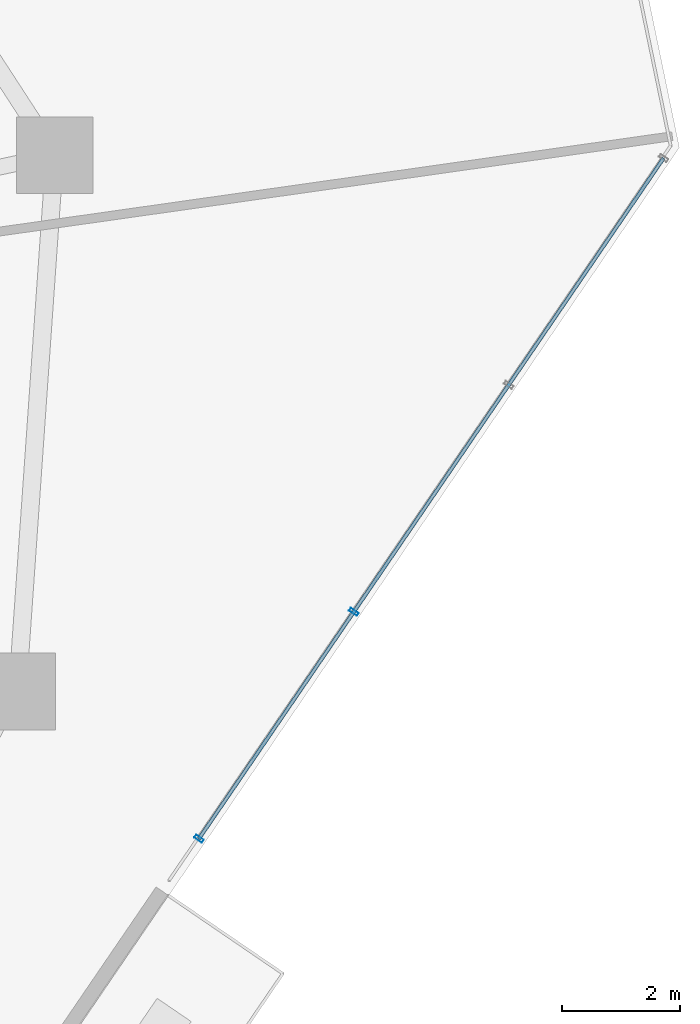
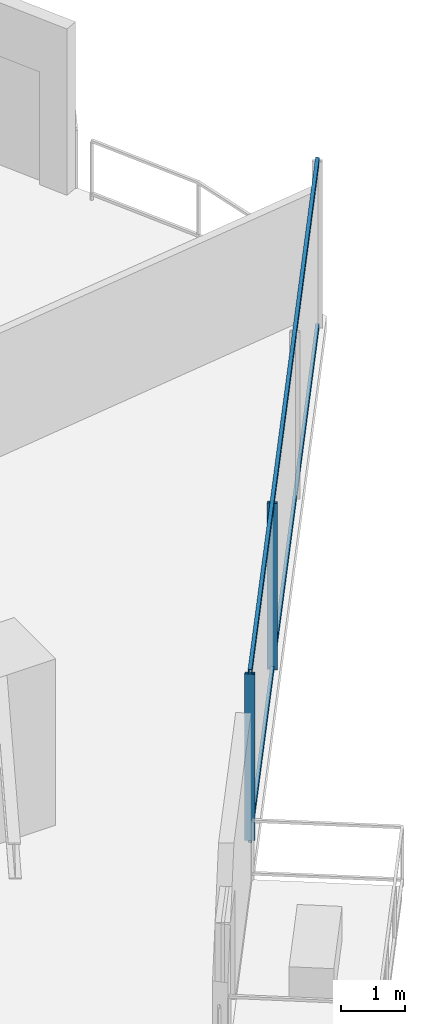
# One storey, part 13 of 30: 4 members, 1 element without a shape of its own.
"""IFC4 building model written with IfcOpenShell, lengths in metres."""

import ifcopenshell
import ifcopenshell.guid

model = None  # the IFC model being written
_history = None  # IfcOwnerHistory: only IFC2X3 demands one
_inside = {}  # id of a spatial element -> (the spatial element, [elements in it])
_under = {}  # id of a project, library or spatial element -> (it, [spatial elements below it])
_declared = {}  # id of a project -> (the project, [libraries it declares])
_typed = {}  # id of a type object -> (the type object, [elements of that type])
_made_of = {}  # id of a material, layer set ... -> (it, [elements and type objects made of it])


def new_model(schema):
    """Start an empty IFC model of exactly this schema.

    Asked for "IFC4X3", IfcOpenShell would pick the latest addendum, in which some entities
    have other attributes; the version numbers below select the first issue.
    IFC2X3 requires an IfcOwnerHistory on every rooted entity: one is made here for all.
    """
    global model, _history
    if schema == "IFC4X3":
        model = ifcopenshell.file(schema_version=(4, 3, 0, 0))
    else:
        model = ifcopenshell.file(schema=schema)
    _inside.clear()
    _under.clear()
    _declared.clear()
    _typed.clear()
    _made_of.clear()
    _history = None
    if model.schema == "IFC2X3":
        org = make("IfcOrganization", Name="unknown")
        user = make(
            "IfcPersonAndOrganization",
            ThePerson=make("IfcPerson", FamilyName="unknown"),
            TheOrganization=org,
        )
        app = make(
            "IfcApplication",
            ApplicationDeveloper=org,
            Version="unknown",
            ApplicationFullName="unknown",
            ApplicationIdentifier="unknown",
        )
        _history = make(
            "IfcOwnerHistory",
            OwningUser=user,
            OwningApplication=app,
            ChangeAction="ADDED",
            CreationDate=0,
        )
    return model


def make(cls, **values):
    """One entity of the class cls with the attributes given. An attribute that is None is left unset."""
    return model.create_entity(
        cls, **{name: value for name, value in values.items() if value is not None}
    )


def rooted(cls, **values):
    """An entity with a GlobalId (a new one), such as an element, a storey or a relation."""
    return make(cls, GlobalId=ifcopenshell.guid.new(), OwnerHistory=_history, **values)


def si_unit(unit_type, name, prefix=None):
    """IfcSIUnit, for example si_unit("LENGTHUNIT", "METRE", prefix="MILLI")."""
    return make("IfcSIUnit", UnitType=unit_type, Prefix=prefix, Name=name)


def assignment(units):
    """IfcUnitAssignment: the units of a project."""
    return None if units is None else make("IfcUnitAssignment", Units=units)


def point(xyz):
    """IfcCartesianPoint."""
    return None if xyz is None else make("IfcCartesianPoint", Coordinates=xyz)


def direction(xyz):
    """IfcDirection."""
    return None if xyz is None else make("IfcDirection", DirectionRatios=xyz)


def frame(location, z_axis=None, x_axis=None):
    """IfcAxis2Placement3D, a coordinate frame: its origin and axes. An axis left out is left unset."""
    return make(
        "IfcAxis2Placement3D",
        Location=point(location),
        Axis=direction(z_axis),
        RefDirection=direction(x_axis),
    )


def frame_2d(location, x_axis=None):
    """IfcAxis2Placement2D, a coordinate frame in the plane: its origin and x axis."""
    return make(
        "IfcAxis2Placement2D", Location=point(location), RefDirection=direction(x_axis)
    )


def origin():
    """The frame at (0, 0, 0) with its axes left unset."""
    return frame((0.0, 0.0, 0.0))


def origin_2d():
    """The frame at (0, 0) in the plane with its x axis left unset."""
    return frame_2d((0.0, 0.0))


def place(relative_to, where):
    """IfcLocalPlacement: puts the frame where relative to a parent placement (None: the world)."""
    return make(
        "IfcLocalPlacement", PlacementRelTo=relative_to, RelativePlacement=where
    )


def context(
    kind, dimensions, precision=None, world=None, true_north=None, identifier=None
):
    """IfcGeometricRepresentationContext, for example the 3D "Model" context."""
    return make(
        "IfcGeometricRepresentationContext",
        ContextIdentifier=identifier,
        ContextType=kind,
        CoordinateSpaceDimension=dimensions,
        Precision=precision,
        WorldCoordinateSystem=world,
        TrueNorth=true_north,
    )


def subcontext(parent, identifier, kind, view, scale=None):
    """IfcGeometricRepresentationSubContext, for example "Body" below "Model"."""
    return make(
        "IfcGeometricRepresentationSubContext",
        ContextIdentifier=identifier,
        ContextType=kind,
        ParentContext=parent,
        TargetScale=scale,
        TargetView=view,
    )


def project(units=None, contexts=None):
    """IfcProject with its units and contexts."""
    return rooted(
        "IfcProject",
        Name="project",
        RepresentationContexts=contexts,
        UnitsInContext=assignment(units),
    )


def spatial(cls, under=None, at=None, **own):
    """A site, building, storey or space (cls), placed at a placement, below another one or the project."""
    s = rooted(cls, ObjectPlacement=at, **own)
    if under is not None:
        _under.setdefault(under.id(), (under, []))[1].append(s)
    return s


def profile(cls, at=None, kind="AREA", **sizes):
    """A parametric profile (cls). Its sizes go by their IFC names, for example OverallWidth=200.0."""
    return make(cls, ProfileType=kind, Position=at, **sizes)


def hollow_rectangle(**sizes):
    """IfcRectangleHollowProfileDef."""
    return profile("IfcRectangleHollowProfileDef", **sizes)


def extrude(swept, where, along, depth):
    """IfcExtrudedAreaSolid: the profile swept, set in the frame where, extruded along a direction by depth."""
    return make(
        "IfcExtrudedAreaSolid",
        SweptArea=swept,
        Position=where,
        ExtrudedDirection=direction(along),
        Depth=depth,
    )


def shape(context_of_items, identifier, shape_type, items):
    """IfcShapeRepresentation: the items that make up one representation, for example the "Body"."""
    return make(
        "IfcShapeRepresentation",
        ContextOfItems=context_of_items,
        RepresentationIdentifier=identifier,
        RepresentationType=shape_type,
        Items=items,
    )


def material(Name=None, Category=None):
    """IfcMaterial."""
    return make("IfcMaterial", Name=Name, Category=Category)


def layer(
    of_material, thickness, ventilated=None, Name=None, Category=None, Priority=None
):
    """IfcMaterialLayer: one layer of a wall or slab, of a material (None: an air gap)."""
    return make(
        "IfcMaterialLayer",
        Material=of_material,
        LayerThickness=thickness,
        IsVentilated=ventilated,
        Name=Name,
        Category=Category,
        Priority=Priority,
    )


def layer_set(layers, Name=None):
    """IfcMaterialLayerSet."""
    return make("IfcMaterialLayerSet", MaterialLayers=layers, LayerSetName=Name)


def material_profile(
    of_material, cross_section, Name=None, Category=None, Priority=None
):
    """IfcMaterialProfile: a cross section and its material."""
    return make(
        "IfcMaterialProfile",
        Name=Name,
        Material=of_material,
        Profile=cross_section,
        Priority=Priority,
        Category=Category,
    )


def profile_set(profiles, Name=None, composite=None):
    """IfcMaterialProfileSet."""
    return make(
        "IfcMaterialProfileSet",
        Name=Name,
        MaterialProfiles=profiles,
        CompositeProfile=composite,
    )


def made_of(thing, what):
    """Note that an element or type object is made of a material, layer set ...; save() writes the relation."""
    if what is not None:
        _made_of.setdefault(what.id(), (what, []))[1].append(thing)
    return thing


def type_object(cls, material=None, **own):
    """A type object (cls), such as IfcWallType, which elements share."""
    return made_of(rooted(cls, **own), material)


def element(
    cls,
    number,
    at=None,
    inside=None,
    cuts=None,
    type_object=None,
    material=None,
    context=None,
    identifier="Body",
    shape_type=None,
    held_by="IfcProductDefinitionShape",
    body=None,
    shapes=None,
    **own,
):
    """One element of the class cls, such as IfcWall. Its Tag is "e" and its number.

    at: its placement. inside: the storey or other place that contains it. cuts: it is an
    opening in that element (IfcRelVoidsElement). A single representation is given by context,
    identifier, shape_type and body (its items); several are given by shapes. held_by: the class
    of the entity that holds the representations. save() writes the other relations.
    """
    e = rooted(cls, Tag="e%d" % number, ObjectPlacement=at, **own)
    if body is not None:
        shapes = [shape(context, identifier, shape_type, body)]
    if shapes is not None:
        e.Representation = make(held_by, Representations=shapes)
    if inside is not None:
        _inside.setdefault(inside.id(), (inside, []))[1].append(e)
    if cuts is not None:
        rooted(
            "IfcRelVoidsElement", RelatingBuildingElement=cuts, RelatedOpeningElement=e
        )
    if type_object is not None:
        _typed.setdefault(type_object.id(), (type_object, []))[1].append(e)
    return made_of(e, material)


def aggregate(whole, parts):
    """IfcRelAggregates: a whole, such as a stair, and the parts it consists of."""
    return rooted("IfcRelAggregates", RelatingObject=whole, RelatedObjects=parts)


def save(model, path):
    """Write the relations noted so far, then the file.

    IfcRelAggregates (storeys below a building ...), IfcRelContainedInSpatialStructure (elements
    in a storey), IfcRelDefinesByType, IfcRelAssociatesMaterial and IfcRelDeclares: one each for
    every whole, place, type object, material and project.
    """
    for whole, parts in _under.values():
        aggregate(whole, parts)
    for where, things in _inside.values():
        rooted(
            "IfcRelContainedInSpatialStructure",
            RelatedElements=things,
            RelatingStructure=where,
        )
    for kind, things in _typed.values():
        rooted("IfcRelDefinesByType", RelatedObjects=things, RelatingType=kind)
    for what, things in _made_of.values():
        rooted("IfcRelAssociatesMaterial", RelatedObjects=things, RelatingMaterial=what)
    for by, libraries in _declared.values():
        rooted("IfcRelDeclares", RelatingContext=by, RelatedDefinitions=libraries)
    model.write(path)


model = new_model("IFC4")

# Units and contexts
model_context = context("Model", 3, precision=1e-05, world=origin(), true_north=direction((0.0, 1.0)))
body_context = subcontext(model_context, "Body", "Model", "MODEL_VIEW")
ifc_project = project(units=[si_unit("LENGTHUNIT", "METRE"), si_unit("AREAUNIT", "SQUARE_METRE"), si_unit("VOLUMEUNIT", "CUBIC_METRE"), si_unit("PLANEANGLEUNIT", "RADIAN"), si_unit("MASSUNIT", "GRAM", prefix="KILO")], contexts=[model_context])

# Site, building, storey
site_placement = place(None, origin())
site = spatial("IfcSite", under=ifc_project, at=site_placement, CompositionType="ELEMENT")
building_placement = place(site_placement, origin())
building = spatial("IfcBuilding", under=site, at=building_placement, Name="Qarnah Convention Tower", CompositionType="ELEMENT")
storey_placement = place(building_placement, frame((0.0, 0.0, 51.14990234375)))
storey = spatial("IfcBuildingStorey", under=building, at=storey_placement, Name="L12", CompositionType="ELEMENT", Elevation=51.14990234375)

# Curtain wall, members
ifc_material_1 = material(Name="Tempered Low-E dark glass", Category="glass")
ifc_layer = layer(ifc_material_1, 0.16796875)
ifc_layer_set = layer_set([ifc_layer], Name="Tempered Low-E dark glass")
curtain_wall_type = type_object("IfcCurtainWallType", Name="CWS-01", PredefinedType="NOTDEFINED", material=ifc_layer_set)
curtain_wall_placement = place(storey_placement, origin())
curtain_wall = element("IfcCurtainWall", 1, at=curtain_wall_placement, inside=storey, type_object=curtain_wall_type, Name="L12 unitised curtain wall CW-L12-F3", PredefinedType="NOTDEFINED")
ifc_material_2 = material(Name="Black anodised aluminium", Category="aluminium")
ifc_material_profile_1 = material_profile(ifc_material_2, hollow_rectangle(XDim=0.06005859375, YDim=0.159912109375, WallThickness=0.00390625, at=origin_2d()), Name="MUL-60X160")
ifc_profile_set_1 = profile_set([ifc_material_profile_1], Name="Black anodised aluminium")
member_type_1 = type_object("IfcMemberType", Name="MUL-T1", PredefinedType="MULLION", material=ifc_profile_set_1)
member_1_placement = place(storey_placement, frame((58.46435546875, 22.09130859375, 0.0), z_axis=(0.0, 0.0, 1.0), x_axis=(-0.563837988353, -0.825885417531, 0.0)))
member_1 = element("IfcMember", 2, at=member_1_placement, type_object=member_type_1, Name="CW-L12-F3 mullion 3", PredefinedType="MULLION", context=body_context, shape_type="SweptSolid", body=[
    extrude(hollow_rectangle(XDim=0.06005859375, YDim=0.159912109375, WallThickness=0.00390625, at=origin_2d()), origin(), (0.0, 0.0, 1.0), 3.170166015625),
])
member_2_placement = place(storey_placement, frame((55.8349609375, 18.239990234375, 0.0), z_axis=(0.0, 0.0, 1.0), x_axis=(-0.563837988353, -0.825885417531, 0.0)))
member_2 = element("IfcMember", 3, at=member_2_placement, type_object=member_type_1, Name="CW-L12-F3 mullion 4", PredefinedType="MULLION", context=body_context, shape_type="SweptSolid", body=[
    extrude(hollow_rectangle(XDim=0.06005859375, YDim=0.159912109375, WallThickness=0.00390625, at=origin_2d()), origin(), (0.0, 0.0, 1.0), 3.170166015625),
])
ifc_material_profile_2 = material_profile(ifc_material_2, hollow_rectangle(XDim=0.06005859375, YDim=0.1298828125, WallThickness=0.00390625, at=origin_2d()), Name="TRN-60X130")
ifc_profile_set_2 = profile_set([ifc_material_profile_2], Name="Black anodised aluminium")
member_type_2 = type_object("IfcMemberType", Name="TRN-T1", PredefinedType="USERDEFINED", material=ifc_profile_set_2)
member_3_placement = place(storey_placement, frame((63.722900390625, 29.7939453125, 0.0), z_axis=(-0.563836534907, -0.825886409807, 0.0), x_axis=(0.825886409807, -0.563836534907, 0.0)))
member_3 = element("IfcMember", 4, at=member_3_placement, type_object=member_type_2, Name="CW-L12-F3 transom 1", ObjectType="TRANSOM", PredefinedType="USERDEFINED", context=body_context, shape_type="SweptSolid", body=[
    extrude(hollow_rectangle(XDim=0.06005859375, YDim=0.1298828125, WallThickness=0.00390625, at=origin_2d()), origin(), (0.0, 0.0, 1.0), 13.98974609375),
])
member_4_placement = place(storey_placement, frame((63.722900390625, 29.7939453125, 3.170166015625), z_axis=(-0.563836534907, -0.825886409807, 0.0), x_axis=(0.825886409807, -0.563836534907, 0.0)))
member_4 = element("IfcMember", 5, at=member_4_placement, type_object=member_type_2, Name="CW-L12-F3 transom 2", ObjectType="TRANSOM", PredefinedType="USERDEFINED", context=body_context, shape_type="SweptSolid", body=[
    extrude(hollow_rectangle(XDim=0.06005859375, YDim=0.1298828125, WallThickness=0.00390625, at=origin_2d()), origin(), (0.0, 0.0, 1.0), 13.98974609375),
])
aggregate(curtain_wall, [member_1, member_2, member_3, member_4])

save(model, "model.ifc")
